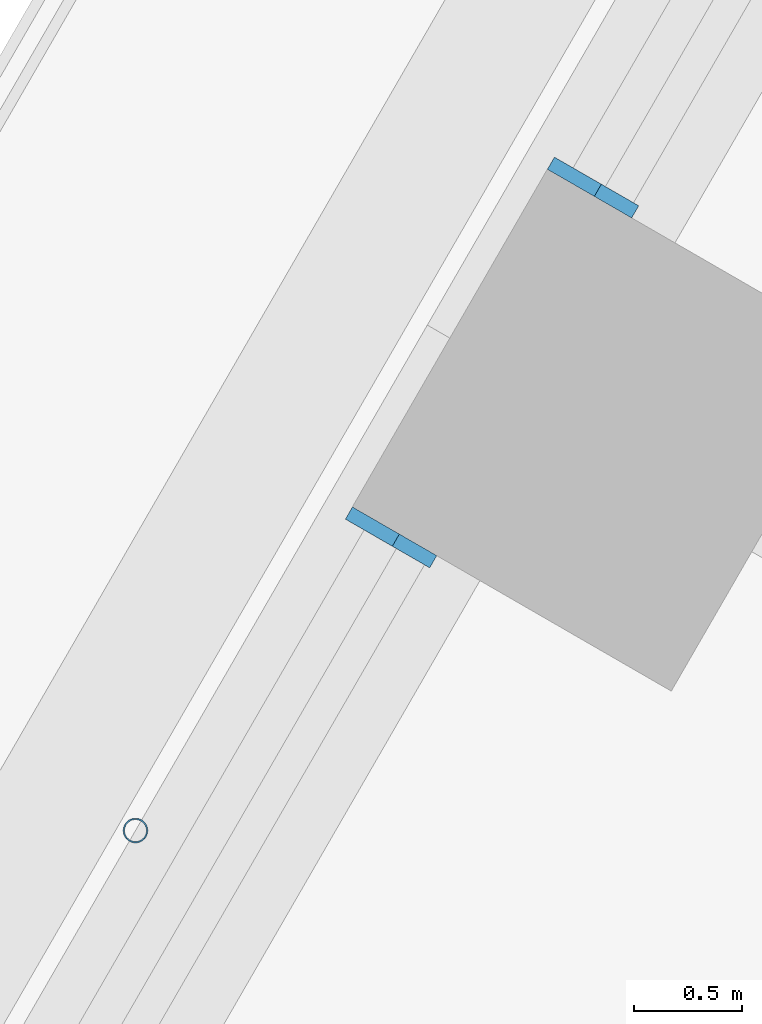
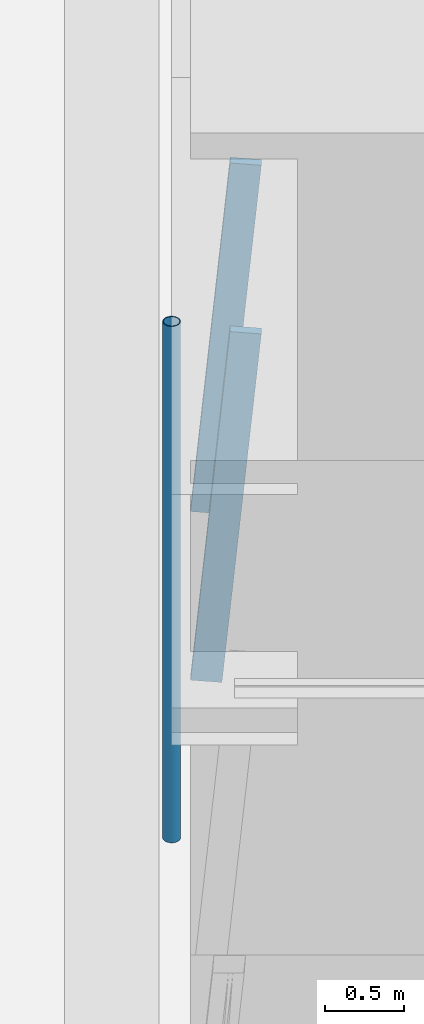
# One storey, part 7 of 23: 3 members, 2 elements without a shape of their own.
"""IFC4 building model written with IfcOpenShell, lengths in metres."""

from ifc_helpers import new_model, si_unit, direction, frame, origin, origin_2d, place, context, subcontext, project, spatial, rectangle, hollow_circle, extrude, material, material_profile, profile_set, type_object, element, aggregate, save


model = new_model("IFC4")

# Units and contexts
model_context = context("Model", 3, precision=1e-05, world=origin(), true_north=direction((0.0, 1.0)))
body_context = subcontext(model_context, "Body", "Model", "MODEL_VIEW")
ifc_project = project(units=[si_unit("LENGTHUNIT", "METRE"), si_unit("AREAUNIT", "SQUARE_METRE"), si_unit("VOLUMEUNIT", "CUBIC_METRE"), si_unit("PLANEANGLEUNIT", "RADIAN"), si_unit("MASSUNIT", "GRAM", prefix="KILO")], contexts=[model_context])

# Site, building, storey
site_placement = place(None, origin())
site = spatial("IfcSite", under=ifc_project, at=site_placement, CompositionType="ELEMENT")
building_placement = place(site_placement, origin())
building = spatial("IfcBuilding", under=site, at=building_placement, Name="Tarfa Lantern Tower", CompositionType="ELEMENT")
storey_placement = place(building_placement, frame((0.0, 0.0, 99.10009765625)))
storey = spatial("IfcBuildingStorey", under=building, at=storey_placement, Name="L22", CompositionType="ELEMENT", Elevation=99.10009765625)

# Curtain wall, member
ifc_material_1 = material(Name="Aluminium framed curtain wall", Category="aluminium")
curtain_wall_type = type_object("IfcCurtainWallType", Name="CW1 CANTED GLAZING LOW ZONE 2700", PredefinedType="USERDEFINED", material=ifc_material_1)
curtain_wall_1_placement = place(storey_placement, origin())
curtain_wall_1 = element("IfcCurtainWall", 1, at=curtain_wall_1_placement, inside=storey, type_object=curtain_wall_type, Name="CW1 NW L22", ObjectType="CURTAIN WALL", PredefinedType="USERDEFINED")
ifc_material_2 = material(Name="Aluminium mullion", Category="aluminium")
ifc_material_profile_1 = material_profile(ifc_material_2, rectangle(XDim=0.06494140625, YDim=0.199951171875, at=origin_2d()), Name="AL MULLION 65x200")
ifc_profile_set_1 = profile_set([ifc_material_profile_1], Name="Aluminium mullion")
member_type_1 = type_object("IfcMemberType", Name="CWM1 MULLION 65x200", PredefinedType="MULLION", material=ifc_profile_set_1)
member_1_placement = place(storey_placement, frame((-31.58642578125, 13.0908203125, 0.0), z_axis=(0.07986442134, -0.046099868913, 0.99573916077), x_axis=(0.499919672301, 0.866071776036, 0.0)))
member_1 = element("IfcMember", 2, at=member_1_placement, type_object=member_type_1, Name="CW1 mullion 2", PredefinedType="MULLION", context=body_context, shape_type="SweptSolid", body=[
    extrude(rectangle(XDim=0.06494140625, YDim=0.199951171875, at=origin_2d()), origin(), (0.0, 0.0, 1.0), 2.71142578125),
])
aggregate(curtain_wall_1, [member_1])

curtain_wall_2_placement = place(storey_placement, origin())
curtain_wall_2 = element("IfcCurtainWall", 3, at=curtain_wall_2_placement, inside=storey, type_object=curtain_wall_type, Name="CW1 NW L22", ObjectType="CURTAIN WALL", PredefinedType="USERDEFINED")
member_2_placement = place(storey_placement, frame((-32.518798828125, 11.475830078125, 0.0), z_axis=(0.07986442134, -0.046099868913, 0.99573916077), x_axis=(0.499919672301, 0.866071776036, 0.0)))
member_2 = element("IfcMember", 4, at=member_2_placement, type_object=member_type_1, Name="CW1 mullion 1", PredefinedType="MULLION", context=body_context, shape_type="SweptSolid", body=[
    extrude(rectangle(XDim=0.06494140625, YDim=0.199951171875, at=origin_2d()), origin(), (0.0, 0.0, 1.0), 2.71142578125),
])
aggregate(curtain_wall_2, [member_2])

# Member
ifc_material_3 = material(Name="Steel S355", Category="steel")
ifc_material_profile_2 = material_profile(ifc_material_3, hollow_circle(Radius=0.05712890625, WallThickness=0.00634765625, at=origin_2d()), Name="CHS114.3x6.3")
ifc_profile_set_2 = profile_set([ifc_material_profile_2], Name="Steel S355")
member_type_2 = type_object("IfcMemberType", Name="TR1 GREEN WALL TRELLIS CHS114.3x6.3", PredefinedType="USERDEFINED", material=ifc_profile_set_2)
member_3_placement = place(storey_placement, frame((-33.59033203125, 10.06005859375, 0.0), z_axis=(0.0, 0.0, 1.0), x_axis=(1.0, 0.0, 0.0)))
element("IfcMember", 5, at=member_3_placement, inside=storey, type_object=member_type_2, Name="Trellis post NW 2", ObjectType="TRELLIS", PredefinedType="USERDEFINED", context=body_context, shape_type="SweptSolid", body=[
    extrude(hollow_circle(Radius=0.05712890625, WallThickness=0.00634765625, at=origin_2d()), origin(), (0.0, 0.0, 1.0), 4.0),
])

save(model, "model.ifc")
